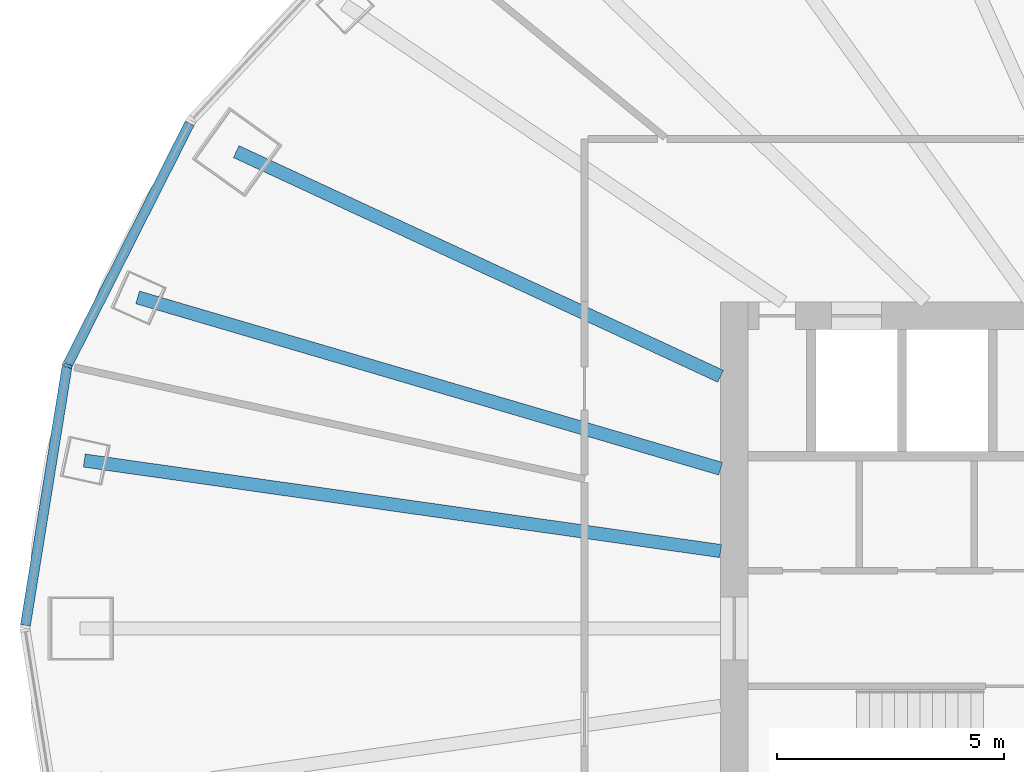
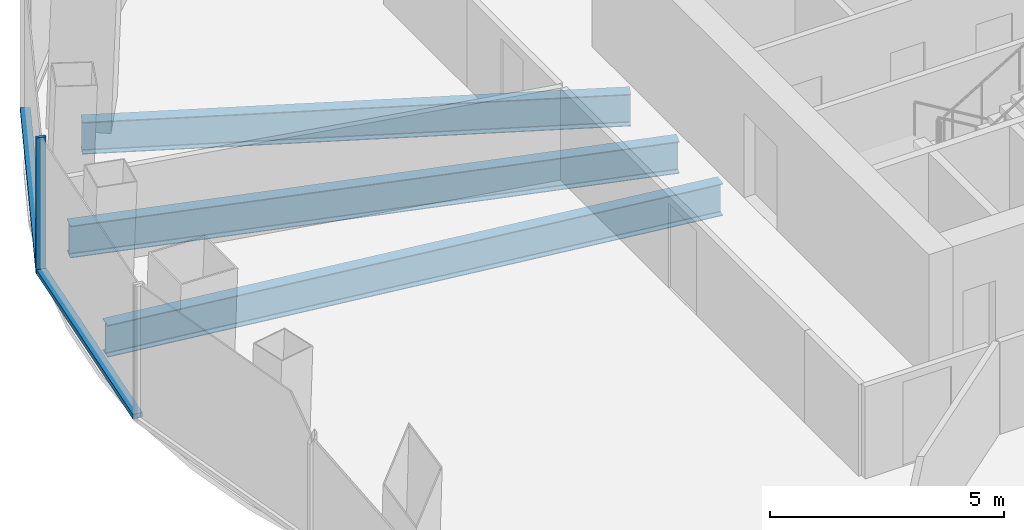
# One storey, part 3 of 11: 3 beams, 3 members, 1 element without a shape of its own.
"""IFC4 building model written with IfcOpenShell, lengths in metres."""

from ifc_helpers import new_model, si_unit, direction, frame, origin, origin_2d, place, context, subcontext, project, spatial, rectangle, i_section, extrude, material, layer, layer_set, material_profile, profile_set, type_object, element, aggregate, save


model = new_model("IFC4")

# Units and contexts
model_context = context("Model", 3, precision=1e-05, world=origin(), true_north=direction((0.0, 1.0)))
body_context = subcontext(model_context, "Body", "Model", "MODEL_VIEW")
ifc_project = project(units=[si_unit("LENGTHUNIT", "METRE"), si_unit("AREAUNIT", "SQUARE_METRE"), si_unit("VOLUMEUNIT", "CUBIC_METRE"), si_unit("PLANEANGLEUNIT", "RADIAN"), si_unit("MASSUNIT", "GRAM", prefix="KILO")], contexts=[model_context])

# Site, building, storey
site_placement = place(None, origin())
site = spatial("IfcSite", under=ifc_project, at=site_placement, CompositionType="ELEMENT")
building_placement = place(site_placement, origin())
building = spatial("IfcBuilding", under=site, at=building_placement, Name="Siaravel Broadcast Tower", CompositionType="ELEMENT")
storey_placement = place(building_placement, frame((0.0, 0.0, 66.699951171875)))
storey = spatial("IfcBuildingStorey", under=building, at=storey_placement, Name="L15", CompositionType="ELEMENT", Elevation=66.699951171875)

# Beams
ifc_material_1 = material(Name="Steel S355", Category="steel")
ifc_material_profile_1 = material_profile(ifc_material_1, i_section(OverallWidth=0.291748046875, OverallDepth=0.8349609375, WebThickness=0.013916015625, FlangeThickness=0.018798828125, FilletRadius=0.017822265625, at=origin_2d()))
ifc_profile_set_1 = profile_set([ifc_material_profile_1], Name="Steel S355")
beam_type = type_object("IfcBeamType", Name="BM-UB 838x292x176", PredefinedType="BEAM", material=ifc_profile_set_1)
beam_1_placement = place(storey_placement, frame((-22.68603515625, 10.52001953125, -0.5673828125), z_axis=(0.907205087, -0.420688637, 0.0), x_axis=(0.420688637, 0.907205087, 0.0)))
element("IfcBeam", 1, at=beam_1_placement, inside=storey, type_object=beam_type, Name="Radial beam RB16", PredefinedType="BEAM", context=body_context, shape_type="SweptSolid", body=[
    extrude(i_section(OverallWidth=0.291748046875, OverallDepth=0.8349609375, WebThickness=0.013916015625, FlangeThickness=0.018798828125, FilletRadius=0.017822265625, at=origin_2d()), origin(), (0.0, 0.0, 1.0), 11.779052734375),
])
beam_2_placement = place(storey_placement, frame((-24.8603515625, 7.3046875, -0.5673828125), z_axis=(0.959439137, -0.281915843, 0.0), x_axis=(0.281915843, 0.959439137, 0.0)))
element("IfcBeam", 2, at=beam_2_placement, inside=storey, type_object=beam_type, Name="Radial beam RB17", PredefinedType="BEAM", context=body_context, shape_type="SweptSolid", body=[
    extrude(i_section(OverallWidth=0.291748046875, OverallDepth=0.8349609375, WebThickness=0.013916015625, FlangeThickness=0.018798828125, FilletRadius=0.017822265625, at=origin_2d()), origin(), (0.0, 0.0, 1.0), 13.404052734375),
])
beam_3_placement = place(storey_placement, frame((-26.037841796875, 3.705322265625, -0.5673828125), z_axis=(0.990024425, -0.140895839, 0.0), x_axis=(0.140895839, 0.990024425, 0.0)))
element("IfcBeam", 3, at=beam_3_placement, inside=storey, type_object=beam_type, Name="Radial beam RB18", PredefinedType="BEAM", context=body_context, shape_type="SweptSolid", body=[
    extrude(i_section(OverallWidth=0.291748046875, OverallDepth=0.8349609375, WebThickness=0.013916015625, FlangeThickness=0.018798828125, FilletRadius=0.017822265625, at=origin_2d()), origin(), (0.0, 0.0, 1.0), 14.17919921875),
])

# Curtain wall, members
ifc_material_2 = material(Name="Aluminium 6063-T6", Category="aluminium")
ifc_layer = layer(ifc_material_2, 0.219970703125)
ifc_layer_set = layer_set([ifc_layer], Name="Aluminium 6063-T6")
curtain_wall_type = type_object("IfcCurtainWallType", Name="Unitised curtain wall, zone 1", PredefinedType="NOTDEFINED", material=ifc_layer_set)
curtain_wall_placement = place(storey_placement, origin())
curtain_wall = element("IfcCurtainWall", 4, at=curtain_wall_placement, inside=storey, type_object=curtain_wall_type, Name="L15 Unitised curtain wall, zone 1 06", PredefinedType="NOTDEFINED")
ifc_material_profile_2 = material_profile(ifc_material_2, rectangle(XDim=0.219970703125, YDim=0.070068359375, at=origin_2d()))
ifc_profile_set_2 = profile_set([ifc_material_profile_2], Name="Aluminium 6063-T6")
member_type_1 = type_object("IfcMemberType", Name="CW-Z1 mullion", PredefinedType="MULLION", material=ifc_profile_set_2)
member_1_placement = place(storey_placement, frame((-26.415283203125, 5.802734375, 0.0), z_axis=(0.0, 0.0, 1.0), x_axis=(0.95117683, -0.30864646, 0.0)))
member_1 = element("IfcMember", 5, at=member_1_placement, type_object=member_type_1, Name="CW-Z1 mullion 2", PredefinedType="MULLION", context=body_context, shape_type="SweptSolid", body=[
    extrude(rectangle(XDim=0.219970703125, YDim=0.070068359375, at=origin_2d()), origin(), (0.0, 0.0, 1.0), 3.550048828125),
])
ifc_material_profile_3 = material_profile(ifc_material_2, rectangle(XDim=0.219970703125, YDim=0.1201171875, at=origin_2d()))
ifc_profile_set_3 = profile_set([ifc_material_profile_3], Name="Aluminium 6063-T6")
member_type_2 = type_object("IfcMemberType", Name="CW-Z1 transom", PredefinedType="USERDEFINED", material=ifc_profile_set_3)
member_2_placement = place(storey_placement, frame((-23.712890625, 11.146240234375, 0.06005859375), z_axis=(-0.451293706, -0.892375477, 0.0), x_axis=(0.892375477, -0.451293706, 0.0)))
member_2 = element("IfcMember", 6, at=member_2_placement, type_object=member_type_2, Name="CW-Z1 transom 1", ObjectType="TRANSOM", PredefinedType="USERDEFINED", context=body_context, shape_type="SweptSolid", body=[
    extrude(rectangle(XDim=0.219970703125, YDim=0.1201171875, at=origin_2d()), origin(), (0.0, 0.0, 1.0), 5.952880859375),
])
member_3_placement = place(storey_placement, frame((-26.420654296875, 5.768310546875, 0.06005859375), z_axis=(-0.158689875, -0.987328478, 0.0), x_axis=(0.987328478, -0.158689875, 0.0)))
member_3 = element("IfcMember", 7, at=member_3_placement, type_object=member_type_2, Name="CW-Z1 transom 2", ObjectType="TRANSOM", PredefinedType="USERDEFINED", context=body_context, shape_type="SweptSolid", body=[
    extrude(rectangle(XDim=0.219970703125, YDim=0.1201171875, at=origin_2d()), origin(), (0.0, 0.0, 1.0), 5.7724609375),
])
aggregate(curtain_wall, [member_1, member_2, member_3])

save(model, "model.ifc")
